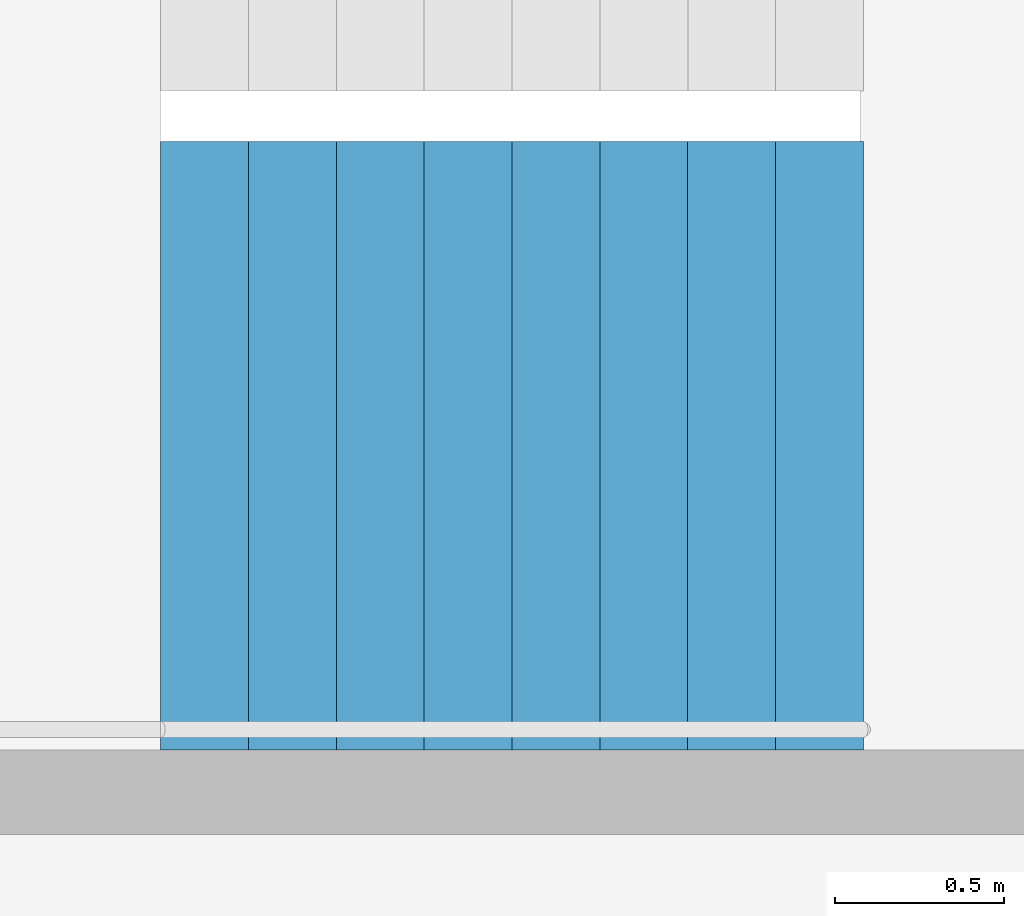
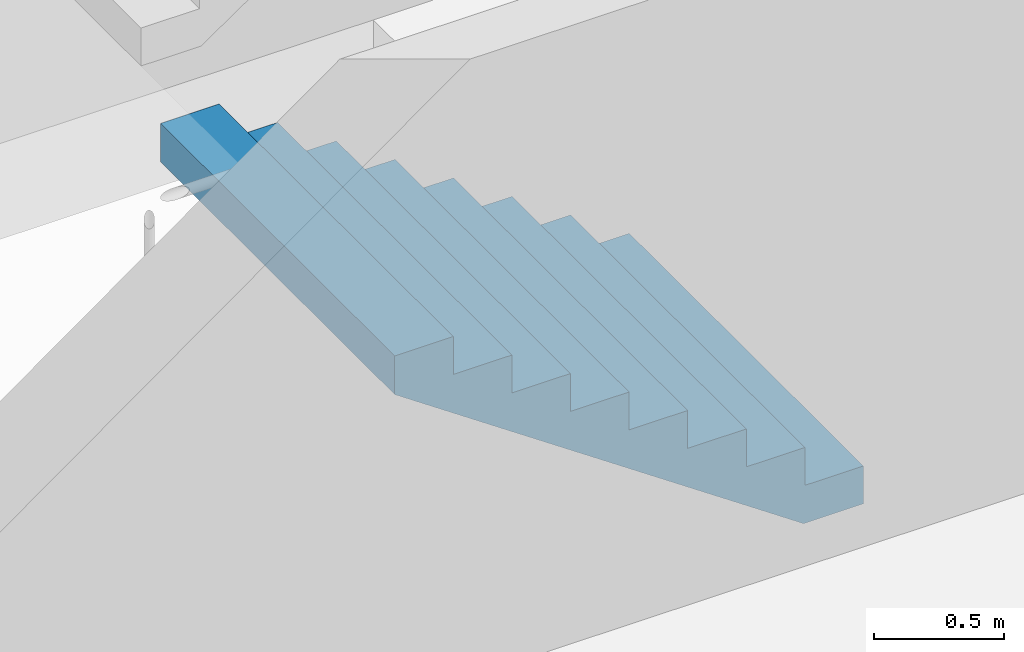
# One storey, part 24 of 26: 1 stair flight, 1 element without a shape of its own.
"""IFC4 building model written with IfcOpenShell, lengths in metres."""

from ifc_helpers import new_model, si_unit, direction, frame, origin, place, context, subcontext, project, spatial, triangles, material, type_object, element, aggregate, save


model = new_model("IFC4")

# Units and contexts
model_context = context("Model", 3, precision=1e-05, world=origin(), true_north=direction((0.0, 1.0)))
body_context = subcontext(model_context, "Body", "Model", "MODEL_VIEW")
ifc_project = project(units=[si_unit("LENGTHUNIT", "METRE"), si_unit("AREAUNIT", "SQUARE_METRE"), si_unit("VOLUMEUNIT", "CUBIC_METRE"), si_unit("PLANEANGLEUNIT", "RADIAN"), si_unit("MASSUNIT", "GRAM", prefix="KILO")], contexts=[model_context])

# Site, building, storey
site_placement = place(None, origin())
site = spatial("IfcSite", under=ifc_project, at=site_placement, CompositionType="ELEMENT")
building_placement = place(site_placement, origin())
building = spatial("IfcBuilding", under=site, at=building_placement, Name="Hakoniwa Tower and Hamabe Station Hall", CompositionType="ELEMENT")
storey_placement = place(building_placement, frame((0.0, 0.0, 225.0)))
storey = spatial("IfcBuildingStorey", under=building, at=storey_placement, Name="L64", CompositionType="ELEMENT", Elevation=225.0)

# Stair, stair flight
ifc_material_1 = material(Name="Concrete C40", Category="concrete")
stair_type = type_object("IfcStairType", Name="ESCAPE STAIR 1800", PredefinedType="HALF_TURN_STAIR", material=ifc_material_1)
stair_placement = place(storey_placement, origin())
stair = element("IfcStair", 1, at=stair_placement, inside=storey, type_object=stair_type, Name="Escape stair ST-3 L64", PredefinedType="HALF_TURN_STAIR")
ifc_material_2 = material(Name="Concrete C40", Category="concrete")
stair_flight_type = type_object("IfcStairFlightType", Name="STAIR FLIGHT 1800", PredefinedType="STRAIGHT", material=ifc_material_2)
stair_flight_placement = place(storey_placement, frame((24.39990234375, 4.64990234375, 0.0), z_axis=(0.0, 0.0, 1.0), x_axis=(-1.0, 0.0, 0.0)))
stair_flight = element("IfcStairFlight", 2, at=stair_flight_placement, type_object=stair_flight_type, Name="ST-3 flight 1", NumberOfRisers=9, NumberOfTreads=8, PredefinedType="STRAIGHT", RiserHeight=0.177777778, TreadLength=0.26, context=body_context, shape_type="Tessellation", body=[
    triangles([(0.0, 0.89990234375, 0.0), (0.260009765625, 0.89990234375, 0.0), (0.265625, 0.89990234375, 0.0), (0.52001953125, 0.89990234375, 0.174072265625), (0.780029296875, 0.89990234375, 0.351806640625), (1.0400390625, 0.89990234375, 0.529541015625), (1.300048828125, 0.89990234375, 0.707275390625), (1.56005859375, 0.89990234375, 0.885009765625), (1.820068359375, 0.89990234375, 1.062744140625), (2.080078125, 0.89990234375, 1.24072265625), (2.080078125, 0.89990234375, 1.422119140625), (1.820068359375, 0.89990234375, 1.422119140625), (1.820068359375, 0.89990234375, 1.244384765625), (1.56005859375, 0.89990234375, 1.244384765625), (1.56005859375, 0.89990234375, 1.066650390625), (1.300048828125, 0.89990234375, 1.066650390625), (1.300048828125, 0.89990234375, 0.888916015625), (1.0400390625, 0.89990234375, 0.888916015625), (1.0400390625, 0.89990234375, 0.711181640625), (0.780029296875, 0.89990234375, 0.711181640625), (0.780029296875, 0.89990234375, 0.533447265625), (0.52001953125, 0.89990234375, 0.533447265625), (0.52001953125, 0.89990234375, 0.35546875), (0.265625, 0.89990234375, 0.35546875), (0.260009765625, 0.89990234375, 0.35546875), (0.260009765625, 0.89990234375, 0.177734375), (0.0, 0.89990234375, 0.177734375), (0.0, 0.06005859375, 0.0), (0.260009765625, 0.06005859375, 0.0), (0.265625, 0.06005859375, 0.0), (0.52001953125, 0.06005859375, 0.174072265625), (0.780029296875, 0.06005859375, 0.351806640625), (1.0400390625, 0.06005859375, 0.529541015625), (1.300048828125, 0.06005859375, 0.707275390625), (1.56005859375, 0.06005859375, 0.885009765625), (1.820068359375, 0.06005859375, 1.062744140625), (2.080078125, 0.06005859375, 1.24072265625), (2.080078125, 0.06005859375, 1.422119140625), (1.820068359375, 0.06005859375, 1.422119140625), (1.820068359375, 0.06005859375, 1.244384765625), (1.56005859375, 0.06005859375, 1.244384765625), (1.56005859375, 0.06005859375, 1.066650390625), (1.300048828125, 0.06005859375, 1.066650390625), (1.300048828125, 0.06005859375, 0.888916015625), (1.0400390625, 0.06005859375, 0.888916015625), (1.0400390625, 0.06005859375, 0.711181640625), (0.780029296875, 0.06005859375, 0.711181640625), (0.780029296875, 0.06005859375, 0.533447265625), (0.52001953125, 0.06005859375, 0.533447265625), (0.52001953125, 0.06005859375, 0.35546875), (0.265625, 0.06005859375, 0.35546875), (0.260009765625, 0.06005859375, 0.35546875), (0.260009765625, 0.06005859375, 0.177734375), (0.0, 0.06005859375, 0.177734375), (0.0, 0.04296875, 0.0), (0.260009765625, 0.04296875, 0.0), (0.265625, 0.04296875, 0.0), (0.52001953125, 0.04296875, 0.174072265625), (0.780029296875, 0.04296875, 0.351806640625), (1.0400390625, 0.04296875, 0.529541015625), (1.300048828125, 0.04296875, 0.707275390625), (1.56005859375, 0.04296875, 0.885009765625), (1.820068359375, 0.04296875, 1.062744140625), (2.080078125, 0.04296875, 1.24072265625), (2.080078125, 0.04296875, 1.422119140625), (1.820068359375, 0.04296875, 1.422119140625), (1.820068359375, 0.04296875, 1.244384765625), (1.56005859375, 0.04296875, 1.244384765625), (1.56005859375, 0.04296875, 1.066650390625), (1.300048828125, 0.04296875, 1.066650390625), (1.300048828125, 0.04296875, 0.888916015625), (1.0400390625, 0.04296875, 0.888916015625), (1.0400390625, 0.04296875, 0.711181640625), (0.780029296875, 0.04296875, 0.711181640625), (0.780029296875, 0.04296875, 0.533447265625), (0.52001953125, 0.04296875, 0.533447265625), (0.52001953125, 0.04296875, 0.35546875), (0.265625, 0.04296875, 0.35546875), (0.260009765625, 0.04296875, 0.35546875), (0.260009765625, 0.04296875, 0.177734375), (0.0, 0.04296875, 0.177734375), (0.0, 0.025634765625, 0.0), (0.260009765625, 0.025634765625, 0.0), (0.265625, 0.025634765625, 0.0), (0.52001953125, 0.025634765625, 0.174072265625), (0.780029296875, 0.025634765625, 0.351806640625), (1.0400390625, 0.025634765625, 0.529541015625), (1.300048828125, 0.025634765625, 0.707275390625), (1.56005859375, 0.025634765625, 0.885009765625), (1.820068359375, 0.025634765625, 1.062744140625), (2.080078125, 0.025634765625, 1.24072265625), (2.080078125, 0.025634765625, 1.422119140625), (1.820068359375, 0.025634765625, 1.422119140625), (1.820068359375, 0.025634765625, 1.244384765625), (1.56005859375, 0.025634765625, 1.244384765625), (1.56005859375, 0.025634765625, 1.066650390625), (1.300048828125, 0.025634765625, 1.066650390625), (1.300048828125, 0.025634765625, 0.888916015625), (1.0400390625, 0.025634765625, 0.888916015625), (1.0400390625, 0.025634765625, 0.711181640625), (0.780029296875, 0.025634765625, 0.711181640625), (0.780029296875, 0.025634765625, 0.533447265625), (0.52001953125, 0.025634765625, 0.533447265625), (0.52001953125, 0.025634765625, 0.35546875), (0.265625, 0.025634765625, 0.35546875), (0.260009765625, 0.025634765625, 0.35546875), (0.260009765625, 0.025634765625, 0.177734375), (0.0, 0.025634765625, 0.177734375), (0.0, 0.008544921875, 0.0), (0.260009765625, 0.008544921875, 0.0), (0.265625, 0.008544921875, 0.0), (0.52001953125, 0.008544921875, 0.174072265625), (0.780029296875, 0.008544921875, 0.351806640625), (1.0400390625, 0.008544921875, 0.529541015625), (1.300048828125, 0.008544921875, 0.707275390625), (1.56005859375, 0.008544921875, 0.885009765625), (1.820068359375, 0.008544921875, 1.062744140625), (2.080078125, 0.008544921875, 1.24072265625), (2.080078125, 0.008544921875, 1.422119140625), (1.820068359375, 0.008544921875, 1.422119140625), (1.820068359375, 0.008544921875, 1.244384765625), (1.56005859375, 0.008544921875, 1.244384765625), (1.56005859375, 0.008544921875, 1.066650390625), (1.300048828125, 0.008544921875, 1.066650390625), (1.300048828125, 0.008544921875, 0.888916015625), (1.0400390625, 0.008544921875, 0.888916015625), (1.0400390625, 0.008544921875, 0.711181640625), (0.780029296875, 0.008544921875, 0.711181640625), (0.780029296875, 0.008544921875, 0.533447265625), (0.52001953125, 0.008544921875, 0.533447265625), (0.52001953125, 0.008544921875, 0.35546875), (0.265625, 0.008544921875, 0.35546875), (0.260009765625, 0.008544921875, 0.35546875), (0.260009765625, 0.008544921875, 0.177734375), (0.0, 0.008544921875, 0.177734375), (0.0, -0.008544921875, 0.0), (0.260009765625, -0.008544921875, 0.0), (0.265625, -0.008544921875, 0.0), (0.52001953125, -0.008544921875, 0.174072265625), (0.780029296875, -0.008544921875, 0.351806640625), (1.0400390625, -0.008544921875, 0.529541015625), (1.300048828125, -0.008544921875, 0.707275390625), (1.56005859375, -0.008544921875, 0.885009765625), (1.820068359375, -0.008544921875, 1.062744140625), (2.080078125, -0.008544921875, 1.24072265625), (2.080078125, -0.008544921875, 1.422119140625), (1.820068359375, -0.008544921875, 1.422119140625), (1.820068359375, -0.008544921875, 1.244384765625), (1.56005859375, -0.008544921875, 1.244384765625), (1.56005859375, -0.008544921875, 1.066650390625), (1.300048828125, -0.008544921875, 1.066650390625), (1.300048828125, -0.008544921875, 0.888916015625), (1.0400390625, -0.008544921875, 0.888916015625), (1.0400390625, -0.008544921875, 0.711181640625), (0.780029296875, -0.008544921875, 0.711181640625), (0.780029296875, -0.008544921875, 0.533447265625), (0.52001953125, -0.008544921875, 0.533447265625), (0.52001953125, -0.008544921875, 0.35546875), (0.265625, -0.008544921875, 0.35546875), (0.260009765625, -0.008544921875, 0.35546875), (0.260009765625, -0.008544921875, 0.177734375), (0.0, -0.008544921875, 0.177734375), (0.0, -0.025634765625, 0.0), (0.260009765625, -0.025634765625, 0.0), (0.265625, -0.025634765625, 0.0), (0.52001953125, -0.025634765625, 0.174072265625), (0.780029296875, -0.025634765625, 0.351806640625), (1.0400390625, -0.025634765625, 0.529541015625), (1.300048828125, -0.025634765625, 0.707275390625), (1.56005859375, -0.025634765625, 0.885009765625), (1.820068359375, -0.025634765625, 1.062744140625), (2.080078125, -0.025634765625, 1.24072265625), (2.080078125, -0.025634765625, 1.422119140625), (1.820068359375, -0.025634765625, 1.422119140625), (1.820068359375, -0.025634765625, 1.244384765625), (1.56005859375, -0.025634765625, 1.244384765625), (1.56005859375, -0.025634765625, 1.066650390625), (1.300048828125, -0.025634765625, 1.066650390625), (1.300048828125, -0.025634765625, 0.888916015625), (1.0400390625, -0.025634765625, 0.888916015625), (1.0400390625, -0.025634765625, 0.711181640625), (0.780029296875, -0.025634765625, 0.711181640625), (0.780029296875, -0.025634765625, 0.533447265625), (0.52001953125, -0.025634765625, 0.533447265625), (0.52001953125, -0.025634765625, 0.35546875), (0.265625, -0.025634765625, 0.35546875), (0.260009765625, -0.025634765625, 0.35546875), (0.260009765625, -0.025634765625, 0.177734375), (0.0, -0.025634765625, 0.177734375), (0.0, -0.04296875, 0.0), (0.260009765625, -0.04296875, 0.0), (0.265625, -0.04296875, 0.0), (0.52001953125, -0.04296875, 0.174072265625), (0.780029296875, -0.04296875, 0.351806640625), (1.0400390625, -0.04296875, 0.529541015625), (1.300048828125, -0.04296875, 0.707275390625), (1.56005859375, -0.04296875, 0.885009765625), (1.820068359375, -0.04296875, 1.062744140625), (2.080078125, -0.04296875, 1.24072265625), (2.080078125, -0.04296875, 1.422119140625), (1.820068359375, -0.04296875, 1.422119140625), (1.820068359375, -0.04296875, 1.244384765625), (1.56005859375, -0.04296875, 1.244384765625), (1.56005859375, -0.04296875, 1.066650390625), (1.300048828125, -0.04296875, 1.066650390625), (1.300048828125, -0.04296875, 0.888916015625), (1.0400390625, -0.04296875, 0.888916015625), (1.0400390625, -0.04296875, 0.711181640625), (0.780029296875, -0.04296875, 0.711181640625), (0.780029296875, -0.04296875, 0.533447265625), (0.52001953125, -0.04296875, 0.533447265625), (0.52001953125, -0.04296875, 0.35546875), (0.265625, -0.04296875, 0.35546875), (0.260009765625, -0.04296875, 0.35546875), (0.260009765625, -0.04296875, 0.177734375), (0.0, -0.04296875, 0.177734375), (0.0, -0.06005859375, 0.0), (0.260009765625, -0.06005859375, 0.0), (0.265625, -0.06005859375, 0.0), (0.52001953125, -0.06005859375, 0.174072265625), (0.780029296875, -0.06005859375, 0.351806640625), (1.0400390625, -0.06005859375, 0.529541015625), (1.300048828125, -0.06005859375, 0.707275390625), (1.56005859375, -0.06005859375, 0.885009765625), (1.820068359375, -0.06005859375, 1.062744140625), (2.080078125, -0.06005859375, 1.24072265625), (2.080078125, -0.06005859375, 1.422119140625), (1.820068359375, -0.06005859375, 1.422119140625), (1.820068359375, -0.06005859375, 1.244384765625), (1.56005859375, -0.06005859375, 1.244384765625), (1.56005859375, -0.06005859375, 1.066650390625), (1.300048828125, -0.06005859375, 1.066650390625), (1.300048828125, -0.06005859375, 0.888916015625), (1.0400390625, -0.06005859375, 0.888916015625), (1.0400390625, -0.06005859375, 0.711181640625), (0.780029296875, -0.06005859375, 0.711181640625), (0.780029296875, -0.06005859375, 0.533447265625), (0.52001953125, -0.06005859375, 0.533447265625), (0.52001953125, -0.06005859375, 0.35546875), (0.265625, -0.06005859375, 0.35546875), (0.260009765625, -0.06005859375, 0.35546875), (0.260009765625, -0.06005859375, 0.177734375), (0.0, -0.06005859375, 0.177734375), (0.0, -0.89990234375, 0.0), (0.260009765625, -0.89990234375, 0.0), (0.265625, -0.89990234375, 0.0), (0.52001953125, -0.89990234375, 0.174072265625), (0.780029296875, -0.89990234375, 0.351806640625), (1.0400390625, -0.89990234375, 0.529541015625), (1.300048828125, -0.89990234375, 0.707275390625), (1.56005859375, -0.89990234375, 0.885009765625), (1.820068359375, -0.89990234375, 1.062744140625), (2.080078125, -0.89990234375, 1.24072265625), (2.080078125, -0.89990234375, 1.422119140625), (1.820068359375, -0.89990234375, 1.422119140625), (1.820068359375, -0.89990234375, 1.244384765625), (1.56005859375, -0.89990234375, 1.244384765625), (1.56005859375, -0.89990234375, 1.066650390625), (1.300048828125, -0.89990234375, 1.066650390625), (1.300048828125, -0.89990234375, 0.888916015625), (1.0400390625, -0.89990234375, 0.888916015625), (1.0400390625, -0.89990234375, 0.711181640625), (0.780029296875, -0.89990234375, 0.711181640625), (0.780029296875, -0.89990234375, 0.533447265625), (0.52001953125, -0.89990234375, 0.533447265625), (0.52001953125, -0.89990234375, 0.35546875), (0.265625, -0.89990234375, 0.35546875), (0.260009765625, -0.89990234375, 0.35546875), (0.260009765625, -0.89990234375, 0.177734375), (0.0, -0.89990234375, 0.177734375)], [[2, 27, 26], [245, 269, 270], [2, 1, 27], [245, 270, 244], [3, 25, 24], [246, 267, 268], [3, 26, 25], [246, 268, 269], [3, 2, 26], [246, 269, 245], [4, 24, 23], [247, 266, 267], [4, 3, 24], [247, 267, 246], [5, 22, 21], [248, 264, 265], [5, 23, 22], [248, 265, 266], [5, 4, 23], [248, 266, 247], [6, 20, 19], [249, 262, 263], [6, 21, 20], [249, 263, 264], [6, 5, 21], [249, 264, 248], [7, 18, 17], [250, 260, 261], [7, 19, 18], [250, 261, 262], [7, 6, 19], [250, 262, 249], [8, 16, 15], [251, 258, 259], [8, 17, 16], [251, 259, 260], [8, 7, 17], [251, 260, 250], [9, 14, 13], [252, 256, 257], [9, 15, 14], [252, 257, 258], [9, 8, 15], [252, 258, 251], [10, 12, 11], [253, 254, 255], [10, 13, 12], [253, 255, 256], [10, 9, 13], [253, 256, 252], [1, 2, 29], [1, 29, 28], [28, 29, 56], [28, 56, 55], [55, 56, 83], [55, 83, 82], [82, 83, 110], [82, 110, 109], [109, 110, 137], [109, 137, 136], [136, 137, 164], [136, 164, 163], [163, 164, 191], [163, 191, 190], [190, 191, 218], [190, 218, 217], [217, 218, 245], [217, 245, 244], [2, 3, 30], [2, 30, 29], [29, 30, 57], [29, 57, 56], [56, 57, 84], [56, 84, 83], [83, 84, 111], [83, 111, 110], [110, 111, 138], [110, 138, 137], [137, 138, 165], [137, 165, 164], [164, 165, 192], [164, 192, 191], [191, 192, 219], [191, 219, 218], [218, 219, 246], [218, 246, 245], [3, 4, 31], [3, 31, 30], [30, 31, 58], [30, 58, 57], [57, 58, 85], [57, 85, 84], [84, 85, 112], [84, 112, 111], [111, 112, 139], [111, 139, 138], [138, 139, 166], [138, 166, 165], [165, 166, 193], [165, 193, 192], [192, 193, 220], [192, 220, 219], [219, 220, 247], [219, 247, 246], [4, 5, 32], [4, 32, 31], [31, 32, 59], [31, 59, 58], [58, 59, 86], [58, 86, 85], [85, 86, 113], [85, 113, 112], [112, 113, 140], [112, 140, 139], [139, 140, 167], [139, 167, 166], [166, 167, 194], [166, 194, 193], [193, 194, 221], [193, 221, 220], [220, 221, 248], [220, 248, 247], [5, 6, 33], [5, 33, 32], [32, 33, 60], [32, 60, 59], [59, 60, 87], [59, 87, 86], [86, 87, 114], [86, 114, 113], [113, 114, 141], [113, 141, 140], [140, 141, 168], [140, 168, 167], [167, 168, 195], [167, 195, 194], [194, 195, 222], [194, 222, 221], [221, 222, 249], [221, 249, 248], [6, 7, 34], [6, 34, 33], [33, 34, 61], [33, 61, 60], [60, 61, 88], [60, 88, 87], [87, 88, 115], [87, 115, 114], [114, 115, 142], [114, 142, 141], [141, 142, 169], [141, 169, 168], [168, 169, 196], [168, 196, 195], [195, 196, 223], [195, 223, 222], [222, 223, 250], [222, 250, 249], [7, 8, 35], [7, 35, 34], [34, 35, 62], [34, 62, 61], [61, 62, 89], [61, 89, 88], [88, 89, 116], [88, 116, 115], [115, 116, 143], [115, 143, 142], [142, 143, 170], [142, 170, 169], [169, 170, 197], [169, 197, 196], [196, 197, 224], [196, 224, 223], [223, 224, 251], [223, 251, 250], [8, 9, 36], [8, 36, 35], [35, 36, 63], [35, 63, 62], [62, 63, 90], [62, 90, 89], [89, 90, 117], [89, 117, 116], [116, 117, 144], [116, 144, 143], [143, 144, 171], [143, 171, 170], [170, 171, 198], [170, 198, 197], [197, 198, 225], [197, 225, 224], [224, 225, 252], [224, 252, 251], [9, 10, 37], [9, 37, 36], [36, 37, 64], [36, 64, 63], [63, 64, 91], [63, 91, 90], [90, 91, 118], [90, 118, 117], [117, 118, 145], [117, 145, 144], [144, 145, 172], [144, 172, 171], [171, 172, 199], [171, 199, 198], [198, 199, 226], [198, 226, 225], [225, 226, 253], [225, 253, 252], [10, 11, 38], [10, 38, 37], [37, 38, 65], [37, 65, 64], [64, 65, 92], [64, 92, 91], [91, 92, 119], [91, 119, 118], [118, 119, 146], [118, 146, 145], [145, 146, 173], [145, 173, 172], [172, 173, 200], [172, 200, 199], [199, 200, 227], [199, 227, 226], [226, 227, 254], [226, 254, 253], [11, 12, 39], [11, 39, 38], [38, 39, 66], [38, 66, 65], [65, 66, 93], [65, 93, 92], [92, 93, 120], [92, 120, 119], [119, 120, 147], [119, 147, 146], [146, 147, 174], [146, 174, 173], [173, 174, 201], [173, 201, 200], [200, 201, 228], [200, 228, 227], [227, 228, 255], [227, 255, 254], [12, 13, 40], [12, 40, 39], [39, 40, 67], [39, 67, 66], [66, 67, 94], [66, 94, 93], [93, 94, 121], [93, 121, 120], [120, 121, 148], [120, 148, 147], [147, 148, 175], [147, 175, 174], [174, 175, 202], [174, 202, 201], [201, 202, 229], [201, 229, 228], [228, 229, 256], [228, 256, 255], [13, 14, 41], [13, 41, 40], [40, 41, 68], [40, 68, 67], [67, 68, 95], [67, 95, 94], [94, 95, 122], [94, 122, 121], [121, 122, 149], [121, 149, 148], [148, 149, 176], [148, 176, 175], [175, 176, 203], [175, 203, 202], [202, 203, 230], [202, 230, 229], [229, 230, 257], [229, 257, 256], [14, 15, 42], [14, 42, 41], [41, 42, 69], [41, 69, 68], [68, 69, 96], [68, 96, 95], [95, 96, 123], [95, 123, 122], [122, 123, 150], [122, 150, 149], [149, 150, 177], [149, 177, 176], [176, 177, 204], [176, 204, 203], [203, 204, 231], [203, 231, 230], [230, 231, 258], [230, 258, 257], [15, 16, 43], [15, 43, 42], [42, 43, 70], [42, 70, 69], [69, 70, 97], [69, 97, 96], [96, 97, 124], [96, 124, 123], [123, 124, 151], [123, 151, 150], [150, 151, 178], [150, 178, 177], [177, 178, 205], [177, 205, 204], [204, 205, 232], [204, 232, 231], [231, 232, 259], [231, 259, 258], [16, 17, 44], [16, 44, 43], [43, 44, 71], [43, 71, 70], [70, 71, 98], [70, 98, 97], [97, 98, 125], [97, 125, 124], [124, 125, 152], [124, 152, 151], [151, 152, 179], [151, 179, 178], [178, 179, 206], [178, 206, 205], [205, 206, 233], [205, 233, 232], [232, 233, 260], [232, 260, 259], [17, 18, 45], [17, 45, 44], [44, 45, 72], [44, 72, 71], [71, 72, 99], [71, 99, 98], [98, 99, 126], [98, 126, 125], [125, 126, 153], [125, 153, 152], [152, 153, 180], [152, 180, 179], [179, 180, 207], [179, 207, 206], [206, 207, 234], [206, 234, 233], [233, 234, 261], [233, 261, 260], [18, 19, 46], [18, 46, 45], [45, 46, 73], [45, 73, 72], [72, 73, 100], [72, 100, 99], [99, 100, 127], [99, 127, 126], [126, 127, 154], [126, 154, 153], [153, 154, 181], [153, 181, 180], [180, 181, 208], [180, 208, 207], [207, 208, 235], [207, 235, 234], [234, 235, 262], [234, 262, 261], [19, 20, 47], [19, 47, 46], [46, 47, 74], [46, 74, 73], [73, 74, 101], [73, 101, 100], [100, 101, 128], [100, 128, 127], [127, 128, 155], [127, 155, 154], [154, 155, 182], [154, 182, 181], [181, 182, 209], [181, 209, 208], [208, 209, 236], [208, 236, 235], [235, 236, 263], [235, 263, 262], [20, 21, 48], [20, 48, 47], [47, 48, 75], [47, 75, 74], [74, 75, 102], [74, 102, 101], [101, 102, 129], [101, 129, 128], [128, 129, 156], [128, 156, 155], [155, 156, 183], [155, 183, 182], [182, 183, 210], [182, 210, 209], [209, 210, 237], [209, 237, 236], [236, 237, 264], [236, 264, 263], [21, 22, 49], [21, 49, 48], [48, 49, 76], [48, 76, 75], [75, 76, 103], [75, 103, 102], [102, 103, 130], [102, 130, 129], [129, 130, 157], [129, 157, 156], [156, 157, 184], [156, 184, 183], [183, 184, 211], [183, 211, 210], [210, 211, 238], [210, 238, 237], [237, 238, 265], [237, 265, 264], [22, 23, 50], [22, 50, 49], [49, 50, 77], [49, 77, 76], [76, 77, 104], [76, 104, 103], [103, 104, 131], [103, 131, 130], [130, 131, 158], [130, 158, 157], [157, 158, 185], [157, 185, 184], [184, 185, 212], [184, 212, 211], [211, 212, 239], [211, 239, 238], [238, 239, 266], [238, 266, 265], [23, 24, 51], [23, 51, 50], [50, 51, 78], [50, 78, 77], [77, 78, 105], [77, 105, 104], [104, 105, 132], [104, 132, 131], [131, 132, 159], [131, 159, 158], [158, 159, 186], [158, 186, 185], [185, 186, 213], [185, 213, 212], [212, 213, 240], [212, 240, 239], [239, 240, 267], [239, 267, 266], [24, 25, 52], [24, 52, 51], [51, 52, 79], [51, 79, 78], [78, 79, 106], [78, 106, 105], [105, 106, 133], [105, 133, 132], [132, 133, 160], [132, 160, 159], [159, 160, 187], [159, 187, 186], [186, 187, 214], [186, 214, 213], [213, 214, 241], [213, 241, 240], [240, 241, 268], [240, 268, 267], [25, 26, 53], [25, 53, 52], [52, 53, 80], [52, 80, 79], [79, 80, 107], [79, 107, 106], [106, 107, 134], [106, 134, 133], [133, 134, 161], [133, 161, 160], [160, 161, 188], [160, 188, 187], [187, 188, 215], [187, 215, 214], [214, 215, 242], [214, 242, 241], [241, 242, 269], [241, 269, 268], [26, 27, 54], [26, 54, 53], [53, 54, 81], [53, 81, 80], [80, 81, 108], [80, 108, 107], [107, 108, 135], [107, 135, 134], [134, 135, 162], [134, 162, 161], [161, 162, 189], [161, 189, 188], [188, 189, 216], [188, 216, 215], [215, 216, 243], [215, 243, 242], [242, 243, 270], [242, 270, 269], [27, 1, 28], [27, 28, 54], [54, 28, 55], [54, 55, 81], [81, 55, 82], [81, 82, 108], [108, 82, 109], [108, 109, 135], [135, 109, 136], [135, 136, 162], [162, 136, 163], [162, 163, 189], [189, 163, 190], [189, 190, 216], [216, 190, 217], [216, 217, 243], [243, 217, 244], [243, 244, 270]], closed=True),
])
aggregate(stair, [stair_flight])

save(model, "model.ifc")
